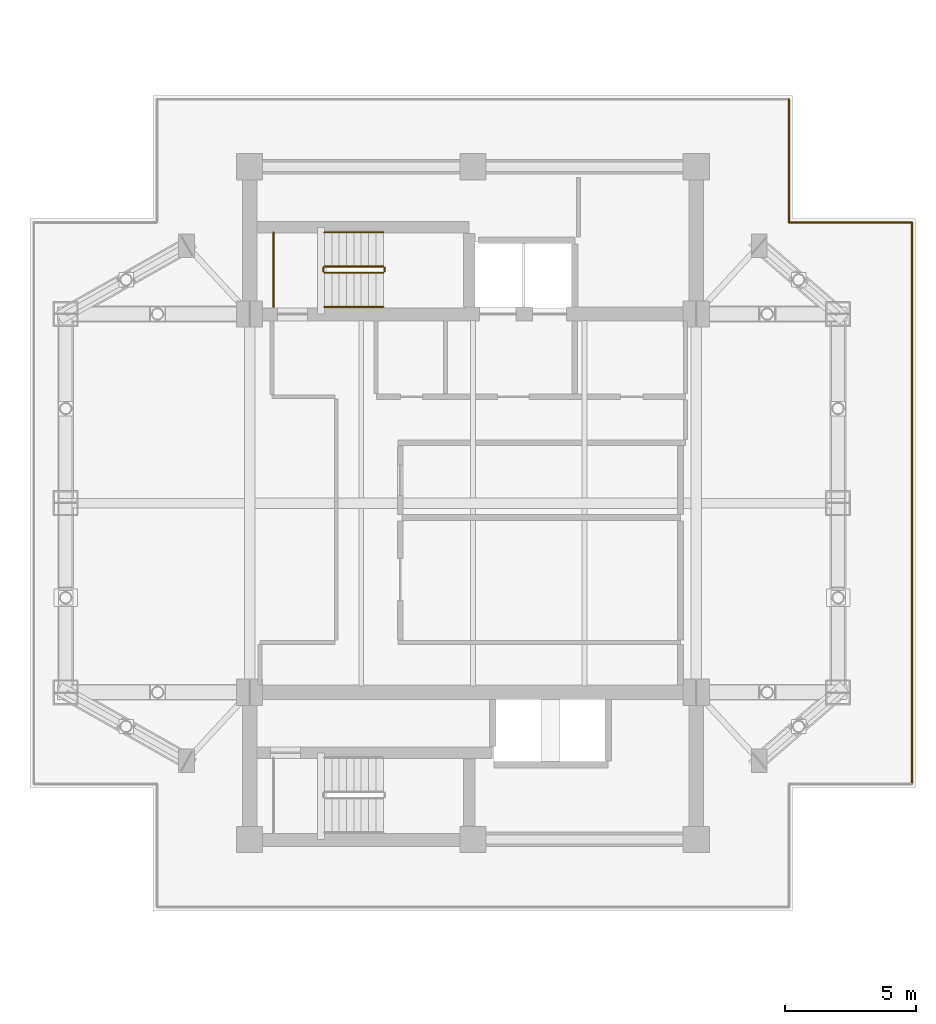
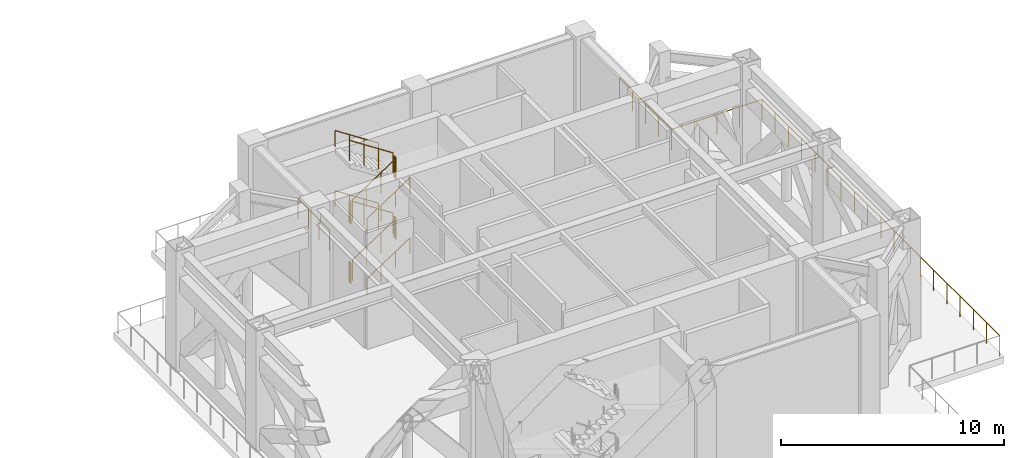
# One storey, part 17 of 18: 16 railings.
"""IFC4 building model written with IfcOpenShell, lengths in metres."""

import ifcopenshell
import ifcopenshell.guid

model = None  # the IFC model being written
_history = None  # IfcOwnerHistory: only IFC2X3 demands one
_inside = {}  # id of a spatial element -> (the spatial element, [elements in it])
_under = {}  # id of a project, library or spatial element -> (it, [spatial elements below it])
_declared = {}  # id of a project -> (the project, [libraries it declares])
_typed = {}  # id of a type object -> (the type object, [elements of that type])
_made_of = {}  # id of a material, layer set ... -> (it, [elements and type objects made of it])


def new_model(schema):
    """Start an empty IFC model of exactly this schema.

    Asked for "IFC4X3", IfcOpenShell would pick the latest addendum, in which some entities
    have other attributes; the version numbers below select the first issue.
    IFC2X3 requires an IfcOwnerHistory on every rooted entity: one is made here for all.
    """
    global model, _history
    if schema == "IFC4X3":
        model = ifcopenshell.file(schema_version=(4, 3, 0, 0))
    else:
        model = ifcopenshell.file(schema=schema)
    _inside.clear()
    _under.clear()
    _declared.clear()
    _typed.clear()
    _made_of.clear()
    _history = None
    if model.schema == "IFC2X3":
        org = make("IfcOrganization", Name="unknown")
        user = make(
            "IfcPersonAndOrganization",
            ThePerson=make("IfcPerson", FamilyName="unknown"),
            TheOrganization=org,
        )
        app = make(
            "IfcApplication",
            ApplicationDeveloper=org,
            Version="unknown",
            ApplicationFullName="unknown",
            ApplicationIdentifier="unknown",
        )
        _history = make(
            "IfcOwnerHistory",
            OwningUser=user,
            OwningApplication=app,
            ChangeAction="ADDED",
            CreationDate=0,
        )
    return model


def make(cls, **values):
    """One entity of the class cls with the attributes given. An attribute that is None is left unset."""
    return model.create_entity(
        cls, **{name: value for name, value in values.items() if value is not None}
    )


def rooted(cls, **values):
    """An entity with a GlobalId (a new one), such as an element, a storey or a relation."""
    return make(cls, GlobalId=ifcopenshell.guid.new(), OwnerHistory=_history, **values)


def si_unit(unit_type, name, prefix=None):
    """IfcSIUnit, for example si_unit("LENGTHUNIT", "METRE", prefix="MILLI")."""
    return make("IfcSIUnit", UnitType=unit_type, Prefix=prefix, Name=name)


def assignment(units):
    """IfcUnitAssignment: the units of a project."""
    return None if units is None else make("IfcUnitAssignment", Units=units)


def point(xyz):
    """IfcCartesianPoint."""
    return None if xyz is None else make("IfcCartesianPoint", Coordinates=xyz)


def direction(xyz):
    """IfcDirection."""
    return None if xyz is None else make("IfcDirection", DirectionRatios=xyz)


def frame(location, z_axis=None, x_axis=None):
    """IfcAxis2Placement3D, a coordinate frame: its origin and axes. An axis left out is left unset."""
    return make(
        "IfcAxis2Placement3D",
        Location=point(location),
        Axis=direction(z_axis),
        RefDirection=direction(x_axis),
    )


def frame_2d(location, x_axis=None):
    """IfcAxis2Placement2D, a coordinate frame in the plane: its origin and x axis."""
    return make(
        "IfcAxis2Placement2D", Location=point(location), RefDirection=direction(x_axis)
    )


def origin():
    """The frame at (0, 0, 0) with its axes left unset."""
    return frame((0.0, 0.0, 0.0))


def origin_2d():
    """The frame at (0, 0) in the plane with its x axis left unset."""
    return frame_2d((0.0, 0.0))


def place(relative_to, where):
    """IfcLocalPlacement: puts the frame where relative to a parent placement (None: the world)."""
    return make(
        "IfcLocalPlacement", PlacementRelTo=relative_to, RelativePlacement=where
    )


def context(
    kind, dimensions, precision=None, world=None, true_north=None, identifier=None
):
    """IfcGeometricRepresentationContext, for example the 3D "Model" context."""
    return make(
        "IfcGeometricRepresentationContext",
        ContextIdentifier=identifier,
        ContextType=kind,
        CoordinateSpaceDimension=dimensions,
        Precision=precision,
        WorldCoordinateSystem=world,
        TrueNorth=true_north,
    )


def subcontext(parent, identifier, kind, view, scale=None):
    """IfcGeometricRepresentationSubContext, for example "Body" below "Model"."""
    return make(
        "IfcGeometricRepresentationSubContext",
        ContextIdentifier=identifier,
        ContextType=kind,
        ParentContext=parent,
        TargetScale=scale,
        TargetView=view,
    )


def project(units=None, contexts=None):
    """IfcProject with its units and contexts."""
    return rooted(
        "IfcProject",
        Name="project",
        RepresentationContexts=contexts,
        UnitsInContext=assignment(units),
    )


def spatial(cls, under=None, at=None, **own):
    """A site, building, storey or space (cls), placed at a placement, below another one or the project."""
    s = rooted(cls, ObjectPlacement=at, **own)
    if under is not None:
        _under.setdefault(under.id(), (under, []))[1].append(s)
    return s


def profile(cls, at=None, kind="AREA", **sizes):
    """A parametric profile (cls). Its sizes go by their IFC names, for example OverallWidth=200.0."""
    return make(cls, ProfileType=kind, Position=at, **sizes)


def circle(**sizes):
    """IfcCircleProfileDef."""
    return profile("IfcCircleProfileDef", **sizes)


def extrude(swept, where, along, depth):
    """IfcExtrudedAreaSolid: the profile swept, set in the frame where, extruded along a direction by depth."""
    return make(
        "IfcExtrudedAreaSolid",
        SweptArea=swept,
        Position=where,
        ExtrudedDirection=direction(along),
        Depth=depth,
    )


def shape(context_of_items, identifier, shape_type, items):
    """IfcShapeRepresentation: the items that make up one representation, for example the "Body"."""
    return make(
        "IfcShapeRepresentation",
        ContextOfItems=context_of_items,
        RepresentationIdentifier=identifier,
        RepresentationType=shape_type,
        Items=items,
    )


def material(Name=None, Category=None):
    """IfcMaterial."""
    return make("IfcMaterial", Name=Name, Category=Category)


def made_of(thing, what):
    """Note that an element or type object is made of a material, layer set ...; save() writes the relation."""
    if what is not None:
        _made_of.setdefault(what.id(), (what, []))[1].append(thing)
    return thing


def type_object(cls, material=None, **own):
    """A type object (cls), such as IfcWallType, which elements share."""
    return made_of(rooted(cls, **own), material)


def element(
    cls,
    number,
    at=None,
    inside=None,
    cuts=None,
    type_object=None,
    material=None,
    context=None,
    identifier="Body",
    shape_type=None,
    held_by="IfcProductDefinitionShape",
    body=None,
    shapes=None,
    **own,
):
    """One element of the class cls, such as IfcWall. Its Tag is "e" and its number.

    at: its placement. inside: the storey or other place that contains it. cuts: it is an
    opening in that element (IfcRelVoidsElement). A single representation is given by context,
    identifier, shape_type and body (its items); several are given by shapes. held_by: the class
    of the entity that holds the representations. save() writes the other relations.
    """
    e = rooted(cls, Tag="e%d" % number, ObjectPlacement=at, **own)
    if body is not None:
        shapes = [shape(context, identifier, shape_type, body)]
    if shapes is not None:
        e.Representation = make(held_by, Representations=shapes)
    if inside is not None:
        _inside.setdefault(inside.id(), (inside, []))[1].append(e)
    if cuts is not None:
        rooted(
            "IfcRelVoidsElement", RelatingBuildingElement=cuts, RelatedOpeningElement=e
        )
    if type_object is not None:
        _typed.setdefault(type_object.id(), (type_object, []))[1].append(e)
    return made_of(e, material)


def aggregate(whole, parts):
    """IfcRelAggregates: a whole, such as a stair, and the parts it consists of."""
    return rooted("IfcRelAggregates", RelatingObject=whole, RelatedObjects=parts)


def save(model, path):
    """Write the relations noted so far, then the file.

    IfcRelAggregates (storeys below a building ...), IfcRelContainedInSpatialStructure (elements
    in a storey), IfcRelDefinesByType, IfcRelAssociatesMaterial and IfcRelDeclares: one each for
    every whole, place, type object, material and project.
    """
    for whole, parts in _under.values():
        aggregate(whole, parts)
    for where, things in _inside.values():
        rooted(
            "IfcRelContainedInSpatialStructure",
            RelatedElements=things,
            RelatingStructure=where,
        )
    for kind, things in _typed.values():
        rooted("IfcRelDefinesByType", RelatedObjects=things, RelatingType=kind)
    for what, things in _made_of.values():
        rooted("IfcRelAssociatesMaterial", RelatedObjects=things, RelatingMaterial=what)
    for by, libraries in _declared.values():
        rooted("IfcRelDeclares", RelatingContext=by, RelatedDefinitions=libraries)
    model.write(path)


model = new_model("IFC4")

# Units and contexts
model_context = context("Model", 3, precision=1e-05, world=origin(), true_north=direction((0.0, 1.0)))
body_context = subcontext(model_context, "Body", "Model", "MODEL_VIEW")
ifc_project = project(units=[si_unit("LENGTHUNIT", "METRE"), si_unit("AREAUNIT", "SQUARE_METRE"), si_unit("VOLUMEUNIT", "CUBIC_METRE"), si_unit("PLANEANGLEUNIT", "RADIAN"), si_unit("MASSUNIT", "GRAM", prefix="KILO")], contexts=[model_context])

# Site, building, storey
site_placement = place(None, origin())
site = spatial("IfcSite", under=ifc_project, at=site_placement, CompositionType="ELEMENT")
building_placement = place(site_placement, origin())
building = spatial("IfcBuilding", under=site, at=building_placement, Name="Mirazonda Arch Towers", CompositionType="ELEMENT")
storey_placement = place(building_placement, frame((0.0, 0.0, 147.800048828125)))
storey = spatial("IfcBuildingStorey", under=building, at=storey_placement, Name="L42", CompositionType="ELEMENT", Elevation=147.800048828125)

# Railings
ifc_material = material(Name="Architectural Brushed Steel S355", Category="steel")
railing_type_1 = type_object("IfcRailingType", Name="GUARD-EXT-1150", PredefinedType="GUARDRAIL", material=ifc_material)
railing_1_placement = place(storey_placement, frame((93.21240234375, 17.313720703125, 0.0)))
element("IfcRailing", 1, at=railing_1_placement, inside=storey, type_object=railing_type_1, Name="L42 T2 Open Wind-Portal Perimeter Guard 04", PredefinedType="GUARDRAIL", context=body_context, shape_type="SweptSolid", body=[
    extrude(circle(Radius=0.02392578125, at=origin_2d()), frame((0.0, 0.0, 1.1259765625), z_axis=(0.0, 1.0, 0.0), x_axis=(-1.0, 0.0, 0.0)), (0.0, 0.0, 1.0), 21.37255859375),
    extrude(circle(Radius=0.02099609375, at=origin_2d()), origin(), (0.0, 0.0, 1.0), 1.101806640625),
    extrude(circle(Radius=0.02099609375, at=origin_2d()), frame((0.0, 1.187255859375, 0.0)), (0.0, 0.0, 1.0), 1.101806640625),
    extrude(circle(Radius=0.02099609375, at=origin_2d()), frame((0.0, 2.374755859375, 0.0)), (0.0, 0.0, 1.0), 1.101806640625),
    extrude(circle(Radius=0.02099609375, at=origin_2d()), frame((0.0, 3.56201171875, 0.0)), (0.0, 0.0, 1.0), 1.101806640625),
    extrude(circle(Radius=0.02099609375, at=origin_2d()), frame((0.0, 4.74951171875, 0.0)), (0.0, 0.0, 1.0), 1.101806640625),
    extrude(circle(Radius=0.02099609375, at=origin_2d()), frame((0.0, 5.936767578125, 0.0)), (0.0, 0.0, 1.0), 1.101806640625),
    extrude(circle(Radius=0.02099609375, at=origin_2d()), frame((0.0, 7.124267578125, 0.0)), (0.0, 0.0, 1.0), 1.101806640625),
    extrude(circle(Radius=0.02099609375, at=origin_2d()), frame((0.0, 8.3115234375, 0.0)), (0.0, 0.0, 1.0), 1.101806640625),
    extrude(circle(Radius=0.02099609375, at=origin_2d()), frame((0.0, 9.4990234375, 0.0)), (0.0, 0.0, 1.0), 1.101806640625),
    extrude(circle(Radius=0.02099609375, at=origin_2d()), frame((0.0, 10.686279296875, 0.0)), (0.0, 0.0, 1.0), 1.101806640625),
    extrude(circle(Radius=0.02099609375, at=origin_2d()), frame((0.0, 11.87353515625, 0.0)), (0.0, 0.0, 1.0), 1.101806640625),
    extrude(circle(Radius=0.02099609375, at=origin_2d()), frame((0.0, 13.06103515625, 0.0)), (0.0, 0.0, 1.0), 1.101806640625),
    extrude(circle(Radius=0.02099609375, at=origin_2d()), frame((0.0, 14.248291015625, 0.0)), (0.0, 0.0, 1.0), 1.101806640625),
    extrude(circle(Radius=0.02099609375, at=origin_2d()), frame((0.0, 15.435791015625, 0.0)), (0.0, 0.0, 1.0), 1.101806640625),
    extrude(circle(Radius=0.02099609375, at=origin_2d()), frame((0.0, 16.623046875, 0.0)), (0.0, 0.0, 1.0), 1.101806640625),
    extrude(circle(Radius=0.02099609375, at=origin_2d()), frame((0.0, 17.810546875, 0.0)), (0.0, 0.0, 1.0), 1.101806640625),
    extrude(circle(Radius=0.02099609375, at=origin_2d()), frame((0.0, 18.997802734375, 0.0)), (0.0, 0.0, 1.0), 1.101806640625),
    extrude(circle(Radius=0.02099609375, at=origin_2d()), frame((0.0, 20.185302734375, 0.0)), (0.0, 0.0, 1.0), 1.101806640625),
    extrude(circle(Radius=0.02099609375, at=origin_2d()), frame((0.0, 21.37255859375, 0.0)), (0.0, 0.0, 1.0), 1.101806640625),
])
railing_2_placement = place(storey_placement, frame((93.21240234375, 38.686279296875, 0.0)))
element("IfcRailing", 2, at=railing_2_placement, inside=storey, type_object=railing_type_1, Name="L42 T2 Open Wind-Portal Perimeter Guard 05", PredefinedType="GUARDRAIL", context=body_context, shape_type="SweptSolid", body=[
    extrude(circle(Radius=0.02392578125, at=origin_2d()), frame((0.0, 0.0, 1.1259765625), z_axis=(-1.0, 0.0, 0.0), x_axis=(0.0, -1.0, 0.0)), (0.0, 0.0, 1.0), 4.68505859375),
    extrude(circle(Radius=0.02099609375, at=origin_2d()), origin(), (0.0, 0.0, 1.0), 1.101806640625),
    extrude(circle(Radius=0.02099609375, at=origin_2d()), frame((-1.17138671875, 0.0, 0.0)), (0.0, 0.0, 1.0), 1.101806640625),
    extrude(circle(Radius=0.02099609375, at=origin_2d()), frame((-2.342529296875, 0.0, 0.0)), (0.0, 0.0, 1.0), 1.101806640625),
    extrude(circle(Radius=0.02099609375, at=origin_2d()), frame((-3.513671875, 0.0, 0.0)), (0.0, 0.0, 1.0), 1.101806640625),
    extrude(circle(Radius=0.02099609375, at=origin_2d()), frame((-4.68505859375, 0.0, 0.0)), (0.0, 0.0, 1.0), 1.101806640625),
])
railing_3_placement = place(storey_placement, frame((88.52734375, 38.686279296875, 0.0)))
element("IfcRailing", 3, at=railing_3_placement, inside=storey, type_object=railing_type_1, Name="L42 T2 Open Wind-Portal Perimeter Guard 06", PredefinedType="GUARDRAIL", context=body_context, shape_type="SweptSolid", body=[
    extrude(circle(Radius=0.02392578125, at=origin_2d()), frame((0.0, 0.0, 1.1259765625), z_axis=(0.0, 1.0, 0.0), x_axis=(-1.0, 0.0, 0.0)), (0.0, 0.0, 1.0), 4.685302734375),
    extrude(circle(Radius=0.02099609375, at=origin_2d()), origin(), (0.0, 0.0, 1.0), 1.101806640625),
    extrude(circle(Radius=0.02099609375, at=origin_2d()), frame((0.0, 1.17138671875, 0.0)), (0.0, 0.0, 1.0), 1.101806640625),
    extrude(circle(Radius=0.02099609375, at=origin_2d()), frame((0.0, 2.3427734375, 0.0)), (0.0, 0.0, 1.0), 1.101806640625),
    extrude(circle(Radius=0.02099609375, at=origin_2d()), frame((0.0, 3.513916015625, 0.0)), (0.0, 0.0, 1.0), 1.101806640625),
    extrude(circle(Radius=0.02099609375, at=origin_2d()), frame((0.0, 4.685302734375, 0.0)), (0.0, 0.0, 1.0), 1.101806640625),
])
railing_type_2 = type_object("IfcRailingType", Name="GUARD-STAIR-1120", PredefinedType="GUARDRAIL", material=ifc_material)
railing_4_placement = place(storey_placement, frame((70.85009765625, 36.77001953125, 0.183349609375)))
element("IfcRailing", 4, at=railing_4_placement, inside=storey, type_object=railing_type_2, Name="L42 ST-T2N stair guard 1", PredefinedType="GUARDRAIL", context=body_context, shape_type="SweptSolid", body=[
    extrude(circle(Radius=0.02392578125, at=origin_2d()), frame((0.0, 0.0, 1.1259765625), z_axis=(0.836636935527, 0.0, 0.547757827979), x_axis=(0.0, 1.0, 0.0)), (0.0, 0.0, 1.0), 2.677490234375),
    extrude(circle(Radius=0.02099609375, at=origin_2d()), origin(), (0.0, 0.0, 1.0), 1.101806640625),
    extrude(circle(Radius=0.02099609375, at=origin_2d()), frame((0.74658203125, 0.0, 0.48876953125)), (0.0, 0.0, 1.0), 1.101806640625),
    extrude(circle(Radius=0.02099609375, at=origin_2d()), frame((1.493408203125, 0.0, 0.977783203125)), (0.0, 0.0, 1.0), 1.101806640625),
    extrude(circle(Radius=0.02099609375, at=origin_2d()), frame((2.239990234375, 0.0, 1.466552734375)), (0.0, 0.0, 1.0), 1.101806640625),
])
railing_5_placement = place(storey_placement, frame((73.139892578125, 36.820068359375, 1.64990234375)))
element("IfcRailing", 5, at=railing_5_placement, inside=storey, type_object=railing_type_2, Name="L42 ST-T2N stair guard 2", PredefinedType="GUARDRAIL", context=body_context, shape_type="SweptSolid", body=[
    extrude(circle(Radius=0.02392578125, at=origin_2d()), frame((0.0, 0.0, 1.1259765625), z_axis=(0.0, 1.0, 0.0), x_axis=(-1.0, 0.0, 0.0)), (0.0, 0.0, 1.0), 0.139892578125),
    extrude(circle(Radius=0.02099609375, at=origin_2d()), origin(), (0.0, 0.0, 1.0), 1.101806640625),
    extrude(circle(Radius=0.02099609375, at=origin_2d()), frame((0.0, 0.139892578125, 0.0)), (0.0, 0.0, 1.0), 1.101806640625),
])
railing_6_placement = place(storey_placement, frame((73.090087890625, 37.010009765625, 1.833251953125)))
element("IfcRailing", 6, at=railing_6_placement, inside=storey, type_object=railing_type_2, Name="L42 ST-T2N stair guard 3", PredefinedType="GUARDRAIL", context=body_context, shape_type="SweptSolid", body=[
    extrude(circle(Radius=0.02392578125, at=origin_2d()), frame((0.0, 0.0, 1.1259765625), z_axis=(-0.836595146698, 0.0, 0.547821650285), x_axis=(0.0, -1.0, 0.0)), (0.0, 0.0, 1.0), 2.677490234375),
    extrude(circle(Radius=0.02099609375, at=origin_2d()), origin(), (0.0, 0.0, 1.0), 1.101806640625),
    extrude(circle(Radius=0.02099609375, at=origin_2d()), frame((-0.74658203125, 0.0, 0.489013671875)), (0.0, 0.0, 1.0), 1.101806640625),
    extrude(circle(Radius=0.02099609375, at=origin_2d()), frame((-1.493408203125, 0.0, 0.977783203125)), (0.0, 0.0, 1.0), 1.101806640625),
    extrude(circle(Radius=0.02099609375, at=origin_2d()), frame((-2.239990234375, 0.0, 1.466796875)), (0.0, 0.0, 1.0), 1.101806640625),
])
railing_7_placement = place(storey_placement, frame((70.800048828125, 36.820068359375, 3.300048828125)))
element("IfcRailing", 7, at=railing_7_placement, inside=storey, type_object=railing_type_2, Name="L42 ST-T2N stair guard 4", PredefinedType="GUARDRAIL", context=body_context, shape_type="SweptSolid", body=[
    extrude(circle(Radius=0.02392578125, at=origin_2d()), frame((0.0, 0.0, 1.1259765625), z_axis=(0.0, 1.0, 0.0), x_axis=(-1.0, 0.0, 0.0)), (0.0, 0.0, 1.0), 0.139892578125),
    extrude(circle(Radius=0.02099609375, at=origin_2d()), origin(), (0.0, 0.0, 1.0), 1.101806640625),
    extrude(circle(Radius=0.02099609375, at=origin_2d()), frame((0.0, 0.139892578125, 0.0)), (0.0, 0.0, 1.0), 1.101806640625),
])
railing_8_placement = place(storey_placement, frame((70.85009765625, 36.77001953125, 3.4833984375)))
element("IfcRailing", 8, at=railing_8_placement, inside=storey, type_object=railing_type_2, Name="L42 ST-T2N stair guard 5", PredefinedType="GUARDRAIL", context=body_context, shape_type="SweptSolid", body=[
    extrude(circle(Radius=0.02392578125, at=origin_2d()), frame((0.0, 0.0, 1.1259765625), z_axis=(0.836636935527, 0.0, 0.547757827979), x_axis=(0.0, 1.0, 0.0)), (0.0, 0.0, 1.0), 2.677490234375),
    extrude(circle(Radius=0.02099609375, at=origin_2d()), origin(), (0.0, 0.0, 1.0), 1.101806640625),
    extrude(circle(Radius=0.02099609375, at=origin_2d()), frame((0.74658203125, 0.0, 0.48876953125)), (0.0, 0.0, 1.0), 1.101806640625),
    extrude(circle(Radius=0.02099609375, at=origin_2d()), frame((1.493408203125, 0.0, 0.977783203125)), (0.0, 0.0, 1.0), 1.101806640625),
    extrude(circle(Radius=0.02099609375, at=origin_2d()), frame((2.239990234375, 0.0, 1.466552734375)), (0.0, 0.0, 1.0), 1.101806640625),
])
railing_9_placement = place(storey_placement, frame((73.139892578125, 36.820068359375, 4.949951171875)))
element("IfcRailing", 9, at=railing_9_placement, inside=storey, type_object=railing_type_2, Name="L42 ST-T2N stair guard 6", PredefinedType="GUARDRAIL", context=body_context, shape_type="SweptSolid", body=[
    extrude(circle(Radius=0.02392578125, at=origin_2d()), frame((0.0, 0.0, 1.1259765625), z_axis=(0.0, 1.0, 0.0), x_axis=(-1.0, 0.0, 0.0)), (0.0, 0.0, 1.0), 0.139892578125),
    extrude(circle(Radius=0.02099609375, at=origin_2d()), origin(), (0.0, 0.0, 1.0), 1.101806640625),
    extrude(circle(Radius=0.02099609375, at=origin_2d()), frame((0.0, 0.139892578125, 0.0)), (0.0, 0.0, 1.0), 1.101806640625),
])
railing_10_placement = place(storey_placement, frame((73.090087890625, 37.010009765625, 5.13330078125)))
element("IfcRailing", 10, at=railing_10_placement, inside=storey, type_object=railing_type_2, Name="L42 ST-T2N stair guard 7", PredefinedType="GUARDRAIL", context=body_context, shape_type="SweptSolid", body=[
    extrude(circle(Radius=0.02392578125, at=origin_2d()), frame((0.0, 0.0, 1.1259765625), z_axis=(-0.836636935527, 0.0, 0.547757827979), x_axis=(0.0, -1.0, 0.0)), (0.0, 0.0, 1.0), 2.677490234375),
    extrude(circle(Radius=0.02099609375, at=origin_2d()), origin(), (0.0, 0.0, 1.0), 1.101806640625),
    extrude(circle(Radius=0.02099609375, at=origin_2d()), frame((-0.74658203125, 0.0, 0.48876953125)), (0.0, 0.0, 1.0), 1.101806640625),
    extrude(circle(Radius=0.02099609375, at=origin_2d()), frame((-1.493408203125, 0.0, 0.977783203125)), (0.0, 0.0, 1.0), 1.101806640625),
    extrude(circle(Radius=0.02099609375, at=origin_2d()), frame((-2.239990234375, 0.0, 1.466552734375)), (0.0, 0.0, 1.0), 1.101806640625),
])
railing_11_placement = place(storey_placement, frame((70.800048828125, 36.820068359375, 0.0)))
element("IfcRailing", 11, at=railing_11_placement, inside=storey, type_object=railing_type_2, Name="L42 ST-T2N stair guard 8", PredefinedType="GUARDRAIL", context=body_context, shape_type="SweptSolid", body=[
    extrude(circle(Radius=0.02392578125, at=origin_2d()), frame((0.0, 0.0, 1.1259765625), z_axis=(0.0, 1.0, 0.0), x_axis=(-1.0, 0.0, 0.0)), (0.0, 0.0, 1.0), 0.139892578125),
    extrude(circle(Radius=0.02099609375, at=origin_2d()), origin(), (0.0, 0.0, 1.0), 1.101806640625),
    extrude(circle(Radius=0.02099609375, at=origin_2d()), frame((0.0, 0.139892578125, 0.0)), (0.0, 0.0, 1.0), 1.101806640625),
])
railing_12_placement = place(storey_placement, frame((68.909912109375, 35.469970703125, 3.300048828125)))
element("IfcRailing", 12, at=railing_12_placement, inside=storey, type_object=railing_type_2, Name="L42 ST-T2N stair guard 9", PredefinedType="GUARDRAIL", context=body_context, shape_type="SweptSolid", body=[
    extrude(circle(Radius=0.02392578125, at=origin_2d()), frame((0.0, 0.0, 1.1259765625), z_axis=(0.0, 1.0, 0.0), x_axis=(-1.0, 0.0, 0.0)), (0.0, 0.0, 1.0), 2.840087890625),
    extrude(circle(Radius=0.02099609375, at=origin_2d()), origin(), (0.0, 0.0, 1.0), 1.101806640625),
    extrude(circle(Radius=0.02099609375, at=origin_2d()), frame((0.0, 0.94677734375, 0.0)), (0.0, 0.0, 1.0), 1.101806640625),
    extrude(circle(Radius=0.02099609375, at=origin_2d()), frame((0.0, 1.893310546875, 0.0)), (0.0, 0.0, 1.0), 1.101806640625),
    extrude(circle(Radius=0.02099609375, at=origin_2d()), frame((0.0, 2.840087890625, 0.0)), (0.0, 0.0, 1.0), 1.101806640625),
])
railing_type_3 = type_object("IfcRailingType", Name="HANDRAIL-915", PredefinedType="HANDRAIL", material=ifc_material)
railing_13_placement = place(storey_placement, frame((70.85009765625, 35.469970703125, 0.183349609375)))
element("IfcRailing", 13, at=railing_13_placement, inside=storey, type_object=railing_type_3, Name="L42 ST-T2N stair handrail 1", PredefinedType="HANDRAIL", context=body_context, shape_type="SweptSolid", body=[
    extrude(circle(Radius=0.02392578125, at=origin_2d()), frame((0.0, 0.0, 0.8759765625), z_axis=(0.836636935527, 0.0, 0.547757827979), x_axis=(0.0, 1.0, 0.0)), (0.0, 0.0, 1.0), 2.677490234375),
    extrude(circle(Radius=0.02099609375, at=origin_2d()), origin(), (0.0, 0.0, 1.0), 0.851806640625),
    extrude(circle(Radius=0.02099609375, at=origin_2d()), frame((0.74658203125, 0.0, 0.48876953125)), (0.0, 0.0, 1.0), 0.851806640625),
    extrude(circle(Radius=0.02099609375, at=origin_2d()), frame((1.493408203125, 0.0, 0.977783203125)), (0.0, 0.0, 1.0), 0.851806640625),
    extrude(circle(Radius=0.02099609375, at=origin_2d()), frame((2.239990234375, 0.0, 1.466552734375)), (0.0, 0.0, 1.0), 0.851806640625),
])
railing_14_placement = place(storey_placement, frame((73.090087890625, 38.31005859375, 1.833251953125)))
element("IfcRailing", 14, at=railing_14_placement, inside=storey, type_object=railing_type_3, Name="L42 ST-T2N stair handrail 2", PredefinedType="HANDRAIL", context=body_context, shape_type="SweptSolid", body=[
    extrude(circle(Radius=0.02392578125, at=origin_2d()), frame((0.0, 0.0, 0.8759765625), z_axis=(-0.836595146698, 0.0, 0.547821650285), x_axis=(0.0, -1.0, 0.0)), (0.0, 0.0, 1.0), 2.677490234375),
    extrude(circle(Radius=0.02099609375, at=origin_2d()), origin(), (0.0, 0.0, 1.0), 0.851806640625),
    extrude(circle(Radius=0.02099609375, at=origin_2d()), frame((-0.74658203125, 0.0, 0.489013671875)), (0.0, 0.0, 1.0), 0.851806640625),
    extrude(circle(Radius=0.02099609375, at=origin_2d()), frame((-1.493408203125, 0.0, 0.977783203125)), (0.0, 0.0, 1.0), 0.851806640625),
    extrude(circle(Radius=0.02099609375, at=origin_2d()), frame((-2.239990234375, 0.0, 1.466796875)), (0.0, 0.0, 1.0), 0.851806640625),
])
railing_15_placement = place(storey_placement, frame((70.85009765625, 35.469970703125, 3.4833984375)))
element("IfcRailing", 15, at=railing_15_placement, inside=storey, type_object=railing_type_3, Name="L42 ST-T2N stair handrail 3", PredefinedType="HANDRAIL", context=body_context, shape_type="SweptSolid", body=[
    extrude(circle(Radius=0.02392578125, at=origin_2d()), frame((0.0, 0.0, 0.8759765625), z_axis=(0.836636935527, 0.0, 0.547757827979), x_axis=(0.0, 1.0, 0.0)), (0.0, 0.0, 1.0), 2.677490234375),
    extrude(circle(Radius=0.02099609375, at=origin_2d()), origin(), (0.0, 0.0, 1.0), 0.851806640625),
    extrude(circle(Radius=0.02099609375, at=origin_2d()), frame((0.74658203125, 0.0, 0.48876953125)), (0.0, 0.0, 1.0), 0.851806640625),
    extrude(circle(Radius=0.02099609375, at=origin_2d()), frame((1.493408203125, 0.0, 0.977783203125)), (0.0, 0.0, 1.0), 0.851806640625),
    extrude(circle(Radius=0.02099609375, at=origin_2d()), frame((2.239990234375, 0.0, 1.466552734375)), (0.0, 0.0, 1.0), 0.851806640625),
])
railing_16_placement = place(storey_placement, frame((73.090087890625, 38.31005859375, 5.13330078125)))
element("IfcRailing", 16, at=railing_16_placement, inside=storey, type_object=railing_type_3, Name="L42 ST-T2N stair handrail 4", PredefinedType="HANDRAIL", context=body_context, shape_type="SweptSolid", body=[
    extrude(circle(Radius=0.02392578125, at=origin_2d()), frame((0.0, 0.0, 0.8759765625), z_axis=(-0.836636935527, 0.0, 0.547757827979), x_axis=(0.0, -1.0, 0.0)), (0.0, 0.0, 1.0), 2.677490234375),
    extrude(circle(Radius=0.02099609375, at=origin_2d()), origin(), (0.0, 0.0, 1.0), 0.851806640625),
    extrude(circle(Radius=0.02099609375, at=origin_2d()), frame((-0.74658203125, 0.0, 0.48876953125)), (0.0, 0.0, 1.0), 0.851806640625),
    extrude(circle(Radius=0.02099609375, at=origin_2d()), frame((-1.493408203125, 0.0, 0.977783203125)), (0.0, 0.0, 1.0), 0.851806640625),
    extrude(circle(Radius=0.02099609375, at=origin_2d()), frame((-2.239990234375, 0.0, 1.466552734375)), (0.0, 0.0, 1.0), 0.851806640625),
])

save(model, "model.ifc")
